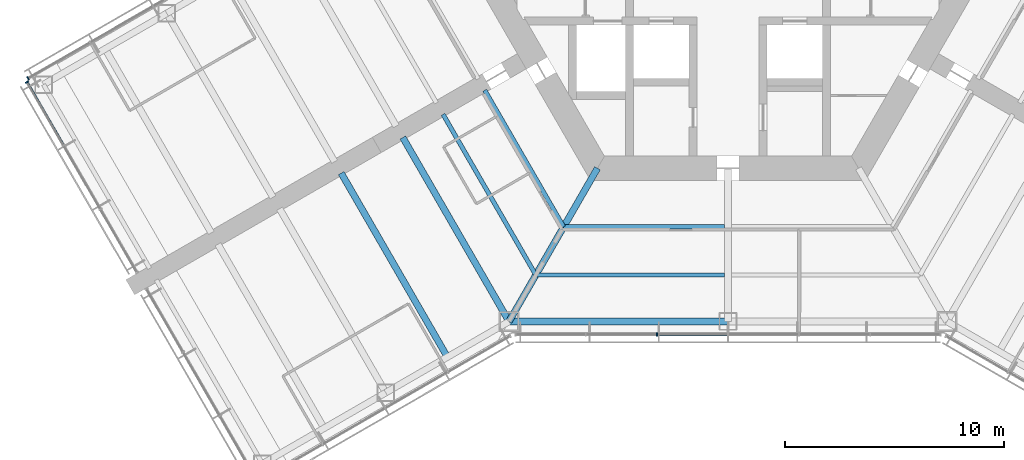
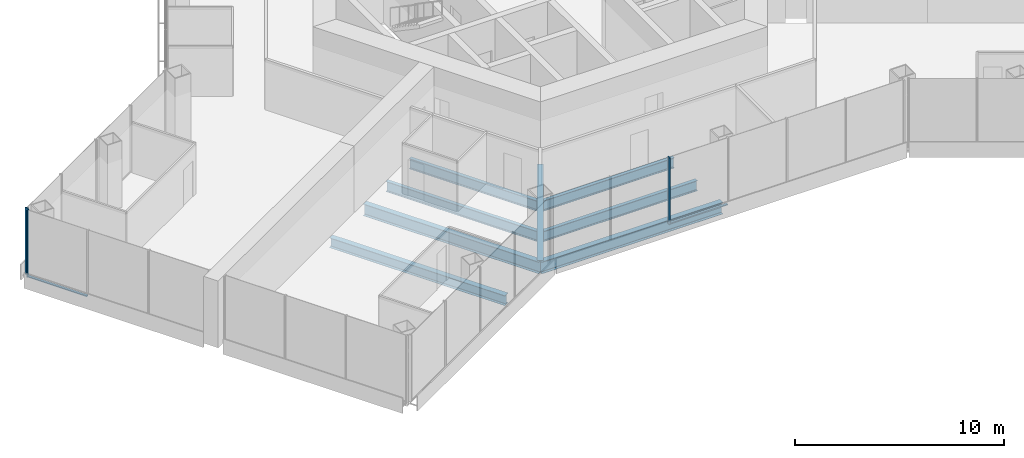
# One storey, part 3 of 18: 8 beams, 5 members, 3 elements without a shape of their own.
"""IFC4 building model written with IfcOpenShell, lengths in metres."""

from ifc_helpers import new_model, si_unit, direction, frame, origin, origin_2d, place, context, subcontext, project, spatial, rectangle, i_section, extrude, material, material_profile, profile_set, type_object, element, aggregate, save


model = new_model("IFC4")

# Units and contexts
model_context = context("Model", 3, precision=1e-05, world=origin(), true_north=direction((0.0, 1.0)))
body_context = subcontext(model_context, "Body", "Model", "MODEL_VIEW")
ifc_project = project(units=[si_unit("LENGTHUNIT", "METRE"), si_unit("AREAUNIT", "SQUARE_METRE"), si_unit("VOLUMEUNIT", "CUBIC_METRE"), si_unit("PLANEANGLEUNIT", "RADIAN"), si_unit("MASSUNIT", "GRAM", prefix="KILO")], contexts=[model_context])

# Site, building, storey
site_placement = place(None, origin())
site = spatial("IfcSite", under=ifc_project, at=site_placement, CompositionType="ELEMENT")
building_placement = place(site_placement, origin())
building = spatial("IfcBuilding", under=site, at=building_placement, Name="Kasaneha Research Tower", CompositionType="ELEMENT")
storey_placement = place(building_placement, frame((0.0, 0.0, 65.10009765625)))
storey = spatial("IfcBuildingStorey", under=building, at=storey_placement, Name="L16", CompositionType="ELEMENT", Elevation=65.10009765625)

# Beams
ifc_material_1 = material(Name="Steel SN490B", Category="steel")
ifc_material_profile_1 = material_profile(ifc_material_1, i_section(OverallWidth=0.199951171875, OverallDepth=0.60009765625, WebThickness=0.010986328125, FlangeThickness=0.01708984375, FilletRadius=0.012939453125, at=origin_2d()), Name="H-600x200x11x17")
ifc_profile_set_1 = profile_set([ifc_material_profile_1], Name="Steel SN490B")
beam_type_1 = type_object("IfcBeamType", Name="B1-3 secondary beam H-600x200x11x17", PredefinedType="JOIST", material=ifc_profile_set_1)
beam_1_placement = place(storey_placement, frame((-7.505615234375, -13.0, -0.4501953125), z_axis=(-0.499998147991, 0.86602647304, 0.0), x_axis=(-0.86602647304, -0.499998147991, 0.0)))
element("IfcBeam", 1, at=beam_1_placement, inside=storey, type_object=beam_type_1, Name="Secondary beam RS210R1 L16", PredefinedType="JOIST", context=body_context, shape_type="SweptSolid", body=[
    extrude(i_section(OverallWidth=0.199951171875, OverallDepth=0.60009765625, WebThickness=0.010986328125, FlangeThickness=0.01708984375, FilletRadius=0.012939453125, at=origin_2d()), origin(), (0.0, 0.0, 1.0), 7.20556640625),
])
beam_2_placement = place(storey_placement, frame((-8.775634765625, -15.199951171875, -0.4501953125), z_axis=(-0.500020829043, 0.866013377797, 0.0), x_axis=(-0.866013377797, -0.500020829043, 0.0)))
element("IfcBeam", 2, at=beam_2_placement, inside=storey, type_object=beam_type_1, Name="Secondary beam RS210R2 L16", PredefinedType="JOIST", context=body_context, shape_type="SweptSolid", body=[
    extrude(i_section(OverallWidth=0.199951171875, OverallDepth=0.60009765625, WebThickness=0.010986328125, FlangeThickness=0.01708984375, FilletRadius=0.012939453125, at=origin_2d()), origin(), (0.0, 0.0, 1.0), 8.475830078125),
])
beam_3_placement = place(storey_placement, frame((-7.505615234375, -13.0, -0.4501953125), z_axis=(1.0, 0.0, 0.0), x_axis=(0.0, 1.0, 0.0)))
element("IfcBeam", 3, at=beam_3_placement, inside=storey, type_object=beam_type_1, Name="Secondary beam RS270L1 L16", PredefinedType="JOIST", context=body_context, shape_type="SweptSolid", body=[
    extrude(i_section(OverallWidth=0.199951171875, OverallDepth=0.60009765625, WebThickness=0.010986328125, FlangeThickness=0.01708984375, FilletRadius=0.012939453125, at=origin_2d()), origin(), (0.0, 0.0, 1.0), 7.355712890625),
])
beam_4_placement = place(storey_placement, frame((-8.775634765625, -15.199951171875, -0.4501953125), z_axis=(1.0, 0.0, 0.0), x_axis=(0.0, 1.0, 0.0)))
element("IfcBeam", 4, at=beam_4_placement, inside=storey, type_object=beam_type_1, Name="Secondary beam RS270L2 L16", PredefinedType="JOIST", context=body_context, shape_type="SweptSolid", body=[
    extrude(i_section(OverallWidth=0.199951171875, OverallDepth=0.60009765625, WebThickness=0.010986328125, FlangeThickness=0.01708984375, FilletRadius=0.012939453125, at=origin_2d()), origin(), (0.0, 0.0, 1.0), 8.625732421875),
])
ifc_material_2 = material(Name="Steel SN490B", Category="steel")
ifc_material_profile_2 = material_profile(ifc_material_2, i_section(OverallWidth=0.300048828125, OverallDepth=0.58203125, WebThickness=0.011962890625, FlangeThickness=0.01708984375, FilletRadius=0.012939453125, at=origin_2d()), Name="H-582x300x12x17")
ifc_profile_set_2 = profile_set([ifc_material_profile_2], Name="Steel SN490B")
beam_type_2 = type_object("IfcBeamType", Name="B2-3 secondary beam H-582x300x12x17", PredefinedType="JOIST", material=ifc_profile_set_2)
beam_5_placement = place(storey_placement, frame((-12.814697265625, -18.945556640625, -0.441162109375), z_axis=(-0.499991164321, 0.866030505006, 0.0), x_axis=(-0.866030505006, -0.499991164321, 0.0)))
element("IfcBeam", 5, at=beam_5_placement, inside=storey, type_object=beam_type_2, Name="Secondary beam WBBN1 L16", PredefinedType="JOIST", context=body_context, shape_type="SweptSolid", body=[
    extrude(i_section(OverallWidth=0.300048828125, OverallDepth=0.58203125, WebThickness=0.011962890625, FlangeThickness=0.01708984375, FilletRadius=0.012939453125, at=origin_2d()), origin(), (0.0, 0.0, 1.0), 9.699951171875),
])

# Curtain wall, member
ifc_material_3 = material(Name="Glass and aluminium", Category="aluminium")
curtain_wall_type = type_object("IfcCurtainWallType", Name="Low-rise office curtain wall", PredefinedType="USERDEFINED", material=ifc_material_3)
curtain_wall_1_placement = place(storey_placement, origin())
curtain_wall_1 = element("IfcCurtainWall", 6, at=curtain_wall_1_placement, inside=storey, type_object=curtain_wall_type, Name="CW-O1 L16 run 02a", ObjectType="UNITISED CURTAIN WALL", PredefinedType="USERDEFINED")
ifc_material_4 = material(Name="Aluminium 6063-T6", Category="aluminium")
ifc_material_profile_3 = material_profile(ifc_material_4, rectangle(XDim=0.06005859375, YDim=0.159912109375, at=origin_2d()), Name="CW-O1 mullion 60x160")
ifc_profile_set_3 = profile_set([ifc_material_profile_3], Name="Aluminium 6063-T6")
member_type_1 = type_object("IfcMemberType", Name="CW-O1 mullion", PredefinedType="MULLION", material=ifc_profile_set_3)
member_1_placement = place(storey_placement, frame((-3.246337890625, -17.92041015625, 0.0), z_axis=(0.0, 0.0, 1.0), x_axis=(1.0, 0.0, 0.0)))
member_1 = element("IfcMember", 7, at=member_1_placement, type_object=member_type_1, Name="CW-O1 mullion 3", PredefinedType="MULLION", context=body_context, shape_type="SweptSolid", body=[
    extrude(rectangle(XDim=0.06005859375, YDim=0.159912109375, at=origin_2d()), origin(), (0.0, 0.0, 1.0), 3.89990234375),
])

curtain_wall_2_placement = place(storey_placement, origin())
curtain_wall_2 = element("IfcCurtainWall", 8, at=curtain_wall_2_placement, inside=storey, type_object=curtain_wall_type, Name="CW-O1 L16 run 13a", ObjectType="UNITISED CURTAIN WALL", PredefinedType="USERDEFINED")
member_2_placement = place(storey_placement, frame((-31.96533203125, -6.21533203125, 0.0), z_axis=(0.0, 0.0, 1.0), x_axis=(-0.866025411464, -0.499999986699, 0.0)))
member_2 = element("IfcMember", 9, at=member_2_placement, type_object=member_type_1, Name="CW-O1 mullion 5", PredefinedType="MULLION", context=body_context, shape_type="SweptSolid", body=[
    extrude(rectangle(XDim=0.06005859375, YDim=0.159912109375, at=origin_2d()), origin(), (0.0, 0.0, 1.0), 3.89990234375),
])
aggregate(curtain_wall_2, [member_2])

curtain_wall_3_placement = place(storey_placement, origin())
curtain_wall_3 = element("IfcCurtainWall", 10, at=curtain_wall_3_placement, inside=storey, type_object=curtain_wall_type, Name="CW-O1 L16 run 14a", ObjectType="UNITISED CURTAIN WALL", PredefinedType="USERDEFINED")
member_3_placement = place(storey_placement, frame((-32.012939453125, -6.39306640625, 0.0), z_axis=(0.0, 0.0, 1.0), x_axis=(0.500000011442, -0.866025397178, 0.0)))
member_3 = element("IfcMember", 11, at=member_3_placement, type_object=member_type_1, Name="CW-O1 mullion 1", PredefinedType="MULLION", context=body_context, shape_type="SweptSolid", body=[
    extrude(rectangle(XDim=0.06005859375, YDim=0.159912109375, at=origin_2d()), origin(), (0.0, 0.0, 1.0), 3.89990234375),
])

# Member
ifc_material_5 = material(Name="Aluminium 6063-T6", Category="aluminium")
ifc_material_profile_4 = material_profile(ifc_material_5, rectangle(XDim=0.1201171875, YDim=0.06005859375, at=origin_2d()), Name="CW-O1 transom 120x60")
ifc_profile_set_4 = profile_set([ifc_material_profile_4], Name="Aluminium 6063-T6")
member_type_2 = type_object("IfcMemberType", Name="CW-O1 transom", PredefinedType="USERDEFINED", material=ifc_profile_set_4)
member_4_placement = place(storey_placement, frame((-3.21630859375, -17.92041015625, 0.02978515625), z_axis=(1.0, 0.0, 0.0), x_axis=(0.0, 1.0, 0.0)))
member_4 = element("IfcMember", 12, at=member_4_placement, type_object=member_type_2, Name="CW-O1 transom 3", ObjectType="TRANSOM", PredefinedType="USERDEFINED", context=body_context, shape_type="SweptSolid", body=[
    extrude(rectangle(XDim=0.1201171875, YDim=0.06005859375, at=origin_2d()), origin(), (0.0, 0.0, 1.0), 3.186279296875),
])

aggregate(curtain_wall_1, [member_1, member_4])

member_5_placement = place(storey_placement, frame((-31.998046875, -6.4189453125, 0.02978515625), z_axis=(0.500025583411, -0.866010632691, 0.0), x_axis=(0.866010632691, 0.500025583411, 0.0)))
member_5 = element("IfcMember", 13, at=member_5_placement, type_object=member_type_2, Name="CW-O1 transom 1", ObjectType="TRANSOM", PredefinedType="USERDEFINED", context=body_context, shape_type="SweptSolid", body=[
    extrude(rectangle(XDim=0.1201171875, YDim=0.06005859375, at=origin_2d()), origin(), (0.0, 0.0, 1.0), 3.276611328125),
])

aggregate(curtain_wall_3, [member_3, member_5])

# Beams
ifc_material_6 = material(Name="Steel SN490B", Category="steel")
ifc_material_profile_5 = material_profile(ifc_material_6, i_section(OverallWidth=0.300048828125, OverallDepth=0.699951171875, WebThickness=0.012939453125, FlangeThickness=0.02392578125, FilletRadius=0.01806640625, at=origin_2d()), Name="H-700x300x13x24")
ifc_profile_set_5 = profile_set([ifc_material_profile_5], Name="Steel SN490B")
beam_type_3 = type_object("IfcBeamType", Name="G1-3 radial girder H-700x300x13x24", PredefinedType="BEAM", material=ifc_profile_set_5)
beam_6_placement = place(storey_placement, frame((-5.961181640625, -10.324951171875, -0.5), z_axis=(-0.49999105496, -0.866030568144, 0.0), x_axis=(0.866030568144, -0.49999105496, 0.0)))
element("IfcBeam", 14, at=beam_6_placement, inside=storey, type_object=beam_type_3, Name="Radial girder RV240 L16", PredefinedType="BEAM", context=body_context, shape_type="SweptSolid", body=[
    extrude(i_section(OverallWidth=0.300048828125, OverallDepth=0.699951171875, WebThickness=0.012939453125, FlangeThickness=0.02392578125, FilletRadius=0.01806640625, at=origin_2d()), origin(), (0.0, 0.0, 1.0), 8.077880859375),
])
ifc_material_7 = material(Name="Steel SN490B", Category="steel")
ifc_material_profile_6 = material_profile(ifc_material_7, i_section(OverallWidth=0.300048828125, OverallDepth=0.69189453125, WebThickness=0.012939453125, FlangeThickness=0.02001953125, FilletRadius=0.01806640625, at=origin_2d()), Name="H-692x300x13x20")
ifc_profile_set_6 = profile_set([ifc_material_profile_6], Name="Steel SN490B")
beam_type_4 = type_object("IfcBeamType", Name="G3-3 plate edge girder H-692x300x13x20", PredefinedType="BEAM", material=ifc_profile_set_6)
beam_7_placement = place(storey_placement, frame((-10.0, -17.320556640625, -0.49609375), z_axis=(-0.500010041276, 0.866019606374, 0.0), x_axis=(-0.866019606374, -0.500010041276, 0.0)))
element("IfcBeam", 15, at=beam_7_placement, inside=storey, type_object=beam_type_4, Name="Plate edge girder PEBN L16", PredefinedType="BEAM", context=body_context, shape_type="SweptSolid", body=[
    extrude(i_section(OverallWidth=0.300048828125, OverallDepth=0.69189453125, WebThickness=0.012939453125, FlangeThickness=0.02001953125, FilletRadius=0.01806640625, at=origin_2d()), origin(), (0.0, 0.0, 1.0), 9.699951171875),
])
ifc_material_8 = material(Name="Steel SN490B", Category="steel")
ifc_material_profile_7 = material_profile(ifc_material_8, i_section(OverallWidth=0.300048828125, OverallDepth=0.69189453125, WebThickness=0.012939453125, FlangeThickness=0.02001953125, FilletRadius=0.01806640625, at=origin_2d()), Name="H-692x300x13x20")
ifc_profile_set_7 = profile_set([ifc_material_profile_7], Name="Steel SN490B")
beam_type_5 = type_object("IfcBeamType", Name="SB1-3 spandrel beam H-692x300x13x20", PredefinedType="SPANDREL", material=ifc_profile_set_7)
beam_8_placement = place(storey_placement, frame((-10.0, -17.320556640625, -0.49609375), z_axis=(1.0, 0.0, 0.0), x_axis=(0.0, 1.0, 0.0)))
element("IfcBeam", 16, at=beam_8_placement, inside=storey, type_object=beam_type_5, Name="Spandrel beam SR270L L16", PredefinedType="SPANDREL", context=body_context, shape_type="SweptSolid", body=[
    extrude(i_section(OverallWidth=0.300048828125, OverallDepth=0.69189453125, WebThickness=0.012939453125, FlangeThickness=0.02001953125, FilletRadius=0.01806640625, at=origin_2d()), origin(), (0.0, 0.0, 1.0), 10.0),
])

save(model, "model.ifc")
